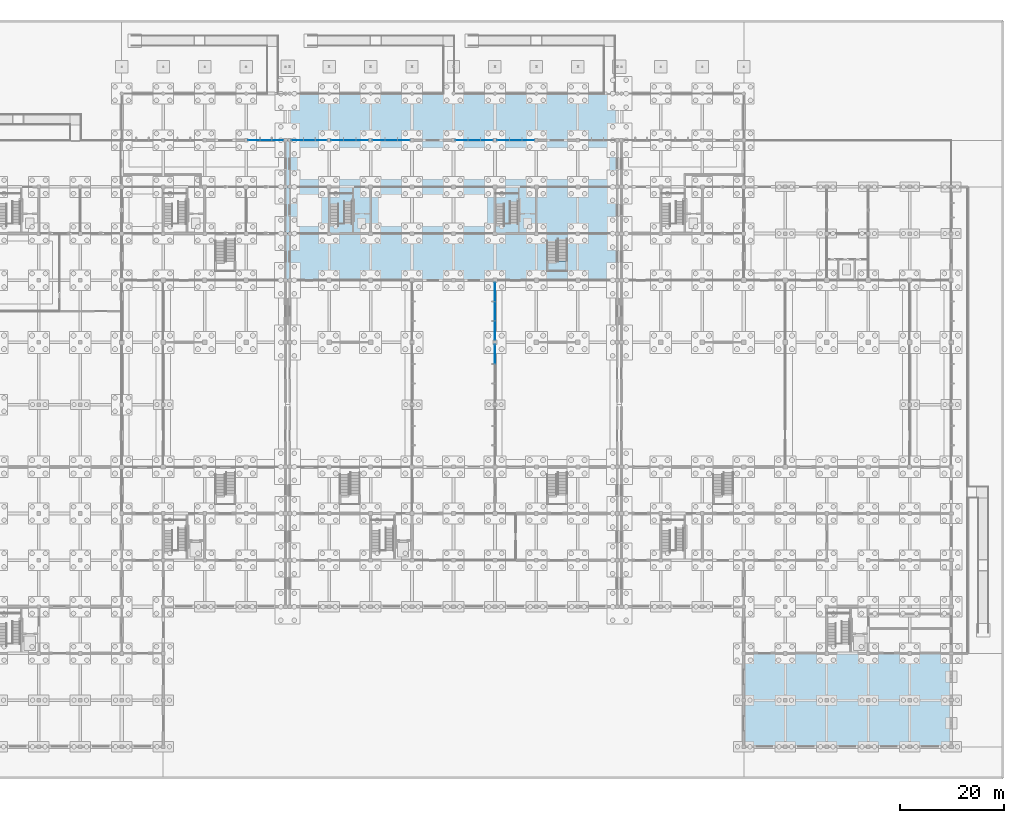
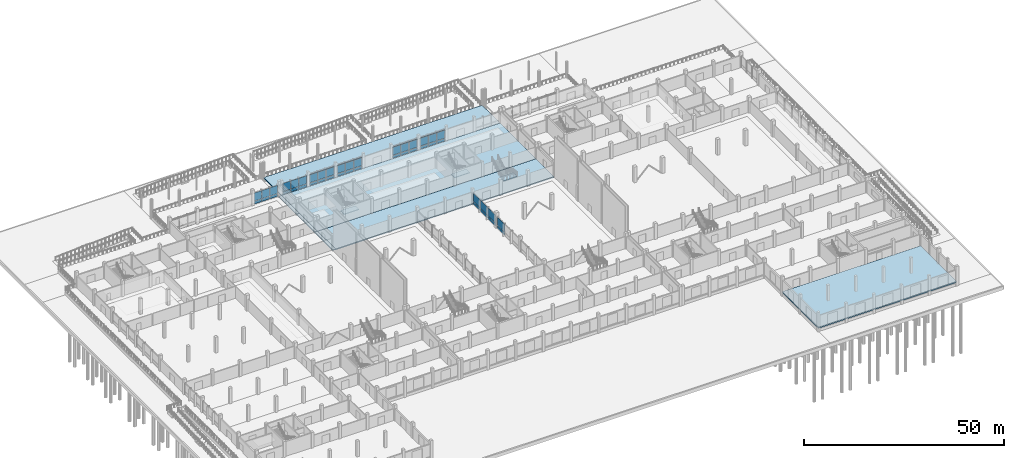
# One storey, part 37 of 72: 44 plates, 10 slabs, 11 elements without a shape of their own.
"""IFC4 building model written with IfcOpenShell, lengths in metres."""

from ifc_helpers import new_model, si_unit, direction, frame, origin, origin_2d, place, context, subcontext, project, spatial, polyline, rectangle, outline, extrude, material, layer, layer_set, type_object, element, aggregate, save


model = new_model("IFC4")

# Units and contexts
model_context = context("Model", 3, precision=1e-05, world=origin(), true_north=direction((0.0, 1.0)))
body_context = subcontext(model_context, "Body", "Model", "MODEL_VIEW")
ifc_project = project(units=[si_unit("LENGTHUNIT", "METRE"), si_unit("AREAUNIT", "SQUARE_METRE"), si_unit("VOLUMEUNIT", "CUBIC_METRE"), si_unit("PLANEANGLEUNIT", "RADIAN"), si_unit("MASSUNIT", "GRAM", prefix="KILO"), si_unit("THERMODYNAMICTEMPERATUREUNIT", "KELVIN"), si_unit("POWERUNIT", "WATT")], contexts=[model_context])

# Site, building, storey
site_placement = place(None, origin())
site = spatial("IfcSite", under=ifc_project, at=site_placement, CompositionType="ELEMENT")
building_placement = place(site_placement, origin())
building = spatial("IfcBuilding", under=site, at=building_placement, Name="Kronsvod Quay Wholesale Market", CompositionType="ELEMENT")
storey_placement = place(building_placement, origin())
storey = spatial("IfcBuildingStorey", under=building, at=storey_placement, Name="L00", CompositionType="ELEMENT", Elevation=0.0)

# Curtain wall, plates
ifc_material_1 = material(Name="Thermally broken aluminium and triple low-E glazing", Category="aluminium")
curtain_wall_type_1 = type_object("IfcCurtainWallType", Name="CW_Colonnade76x39", PredefinedType="NOTDEFINED", material=ifc_material_1)
curtain_wall_1_placement = place(storey_placement, origin())
curtain_wall_1 = element("IfcCurtainWall", 1, at=curtain_wall_1_placement, inside=storey, type_object=curtain_wall_type_1, Name="CWGX-L00-560-1170", PredefinedType="NOTDEFINED")
ifc_material_2 = material(Name="Insulated aluminium spandrel panel", Category="aluminium")
ifc_layer_1 = layer(ifc_material_2, 0.048095703125)
ifc_layer_set_1 = layer_set([ifc_layer_1], Name="Insulated aluminium spandrel panel")
plate_type_1 = type_object("IfcPlateType", Name="CWPanel_SP2206x820", PredefinedType="CURTAIN_PANEL", material=ifc_layer_set_1)
plate_1_placement = place(storey_placement, frame((62.087158203125, 117.0, 0.1201171875), z_axis=(0.0, 0.0, 1.0), x_axis=(-1.0, 0.0, 0.0)))
plate_1 = element("IfcPlate", 2, at=plate_1_placement, type_object=plate_type_1, Name="CWGX-L00-560-1170-PS1", PredefinedType="CURTAIN_PANEL", context=body_context, shape_type="SweptSolid", body=[
    extrude(rectangle(XDim=2.2060546875, YDim=0.048095703125, at=origin_2d()), origin(), (0.0, 0.0, 1.0), 0.820068359375),
])
plate_2_placement = place(storey_placement, frame((57.512939453125, 117.0, 0.1201171875), z_axis=(0.0, 0.0, 1.0), x_axis=(-1.0, 0.0, 0.0)))
plate_2 = element("IfcPlate", 3, at=plate_2_placement, type_object=plate_type_1, Name="CWGX-L00-560-1170-PS3", PredefinedType="CURTAIN_PANEL", context=body_context, shape_type="SweptSolid", body=[
    extrude(rectangle(XDim=2.2060546875, YDim=0.048095703125, at=origin_2d()), origin(), (0.0, 0.0, 1.0), 0.820068359375),
])

curtain_wall_2_placement = place(storey_placement, origin())
curtain_wall_2 = element("IfcCurtainWall", 4, at=curtain_wall_2_placement, inside=storey, type_object=curtain_wall_type_1, Name="CWGX-L00-644-1170", PredefinedType="NOTDEFINED")
plate_3_placement = place(storey_placement, frame((70.487060546875, 117.0, 0.1201171875), z_axis=(0.0, 0.0, 1.0), x_axis=(-1.0, 0.0, 0.0)))
plate_3 = element("IfcPlate", 5, at=plate_3_placement, type_object=plate_type_1, Name="CWGX-L00-644-1170-PS1", PredefinedType="CURTAIN_PANEL", context=body_context, shape_type="SweptSolid", body=[
    extrude(rectangle(XDim=2.2060546875, YDim=0.048095703125, at=origin_2d()), origin(), (0.0, 0.0, 1.0), 0.820068359375),
])
plate_4_placement = place(storey_placement, frame((65.912841796875, 117.0, 0.1201171875), z_axis=(0.0, 0.0, 1.0), x_axis=(-1.0, 0.0, 0.0)))
plate_4 = element("IfcPlate", 6, at=plate_4_placement, type_object=plate_type_1, Name="CWGX-L00-644-1170-PS3", PredefinedType="CURTAIN_PANEL", context=body_context, shape_type="SweptSolid", body=[
    extrude(rectangle(XDim=2.2060546875, YDim=0.048095703125, at=origin_2d()), origin(), (0.0, 0.0, 1.0), 0.820068359375),
])

# Plate
ifc_material_3 = material(Name="Insulated aluminium spandrel panel", Category="aluminium")
ifc_layer_2 = layer(ifc_material_3, 0.048095703125)
ifc_layer_set_2 = layer_set([ifc_layer_2], Name="Insulated aluminium spandrel panel")
plate_type_2 = type_object("IfcPlateType", Name="CWPanel_SP2238x820", PredefinedType="CURTAIN_PANEL", material=ifc_layer_set_2)
plate_5_placement = place(storey_placement, frame((59.800048828125, 117.0, 0.1201171875), z_axis=(0.0, 0.0, 1.0), x_axis=(-1.0, 0.0, 0.0)))
plate_5 = element("IfcPlate", 7, at=plate_5_placement, type_object=plate_type_2, Name="CWGX-L00-560-1170-PS2", PredefinedType="CURTAIN_PANEL", context=body_context, shape_type="SweptSolid", body=[
    extrude(rectangle(XDim=2.238037109375, YDim=0.048095703125, at=origin_2d()), origin(), (0.0, 0.0, 1.0), 0.820068359375),
])

plate_6_placement = place(storey_placement, frame((68.199951171875, 117.0, 0.1201171875), z_axis=(0.0, 0.0, 1.0), x_axis=(-1.0, 0.0, 0.0)))
plate_6 = element("IfcPlate", 8, at=plate_6_placement, type_object=plate_type_2, Name="CWGX-L00-644-1170-PS2", PredefinedType="CURTAIN_PANEL", context=body_context, shape_type="SweptSolid", body=[
    extrude(rectangle(XDim=2.238037109375, YDim=0.048095703125, at=origin_2d()), origin(), (0.0, 0.0, 1.0), 0.820068359375),
])

# Curtain wall, plates
ifc_material_4 = material(Name="Thermally broken aluminium and triple low-E glazing", Category="aluminium")
curtain_wall_type_2 = type_object("IfcCurtainWallType", Name="CW_Colonnade80x39", PredefinedType="NOTDEFINED", material=ifc_material_4)
curtain_wall_3_placement = place(storey_placement, origin())
curtain_wall_3 = element("IfcCurtainWall", 9, at=curtain_wall_3_placement, inside=storey, type_object=curtain_wall_type_2, Name="CWGX-L00-720-1170", PredefinedType="NOTDEFINED")
ifc_material_5 = material(Name="Insulated aluminium spandrel panel", Category="aluminium")
ifc_layer_3 = layer(ifc_material_5, 0.048095703125)
ifc_layer_set_3 = layer_set([ifc_layer_3], Name="Insulated aluminium spandrel panel")
plate_type_3 = type_object("IfcPlateType", Name="CWPanel_SP2324x775", PredefinedType="CURTAIN_PANEL", material=ifc_layer_set_3)
plate_7_placement = place(storey_placement, frame((78.41796875, 117.0, 0.150146484375), z_axis=(0.0, 0.0, 1.0), x_axis=(-1.0, 0.0, 0.0)))
plate_7 = element("IfcPlate", 10, at=plate_7_placement, type_object=plate_type_3, Name="CWGX-L00-720-1170-PS1", PredefinedType="CURTAIN_PANEL", context=body_context, shape_type="SweptSolid", body=[
    extrude(rectangle(XDim=2.323974609375, YDim=0.048095703125, at=origin_2d()), origin(), (0.0, 0.0, 1.0), 0.77490234375),
])
plate_8_placement = place(storey_placement, frame((73.58203125, 117.0, 0.150146484375), z_axis=(0.0, 0.0, 1.0), x_axis=(-1.0, 0.0, 0.0)))
plate_8 = element("IfcPlate", 11, at=plate_8_placement, type_object=plate_type_3, Name="CWGX-L00-720-1170-PS3", PredefinedType="CURTAIN_PANEL", context=body_context, shape_type="SweptSolid", body=[
    extrude(rectangle(XDim=2.323974609375, YDim=0.048095703125, at=origin_2d()), origin(), (0.0, 0.0, 1.0), 0.77490234375),
])

curtain_wall_4_placement = place(storey_placement, origin())
curtain_wall_4 = element("IfcCurtainWall", 12, at=curtain_wall_4_placement, inside=storey, type_object=curtain_wall_type_2, Name="CWGX-L00-800-1170", PredefinedType="NOTDEFINED")
plate_9_placement = place(storey_placement, frame((86.41796875, 117.0, 0.150146484375), z_axis=(0.0, 0.0, 1.0), x_axis=(-1.0, 0.0, 0.0)))
plate_9 = element("IfcPlate", 13, at=plate_9_placement, type_object=plate_type_3, Name="CWGX-L00-800-1170-PS1", PredefinedType="CURTAIN_PANEL", context=body_context, shape_type="SweptSolid", body=[
    extrude(rectangle(XDim=2.323974609375, YDim=0.048095703125, at=origin_2d()), origin(), (0.0, 0.0, 1.0), 0.77490234375),
])
plate_10_placement = place(storey_placement, frame((81.58203125, 117.0, 0.150146484375), z_axis=(0.0, 0.0, 1.0), x_axis=(-1.0, 0.0, 0.0)))
plate_10 = element("IfcPlate", 14, at=plate_10_placement, type_object=plate_type_3, Name="CWGX-L00-800-1170-PS3", PredefinedType="CURTAIN_PANEL", context=body_context, shape_type="SweptSolid", body=[
    extrude(rectangle(XDim=2.323974609375, YDim=0.048095703125, at=origin_2d()), origin(), (0.0, 0.0, 1.0), 0.77490234375),
])

curtain_wall_5_placement = place(storey_placement, origin())
curtain_wall_5 = element("IfcCurtainWall", 15, at=curtain_wall_5_placement, inside=storey, type_object=curtain_wall_type_2, Name="CWGX-L00-960-1170", PredefinedType="NOTDEFINED")
plate_11_placement = place(storey_placement, frame((102.41796875, 117.0, 0.150146484375), z_axis=(0.0, 0.0, 1.0), x_axis=(-1.0, 0.0, 0.0)))
plate_11 = element("IfcPlate", 16, at=plate_11_placement, type_object=plate_type_3, Name="CWGX-L00-960-1170-PS1", PredefinedType="CURTAIN_PANEL", context=body_context, shape_type="SweptSolid", body=[
    extrude(rectangle(XDim=2.323974609375, YDim=0.048095703125, at=origin_2d()), origin(), (0.0, 0.0, 1.0), 0.77490234375),
])
plate_12_placement = place(storey_placement, frame((97.58203125, 117.0, 0.150146484375), z_axis=(0.0, 0.0, 1.0), x_axis=(-1.0, 0.0, 0.0)))
plate_12 = element("IfcPlate", 17, at=plate_12_placement, type_object=plate_type_3, Name="CWGX-L00-960-1170-PS3", PredefinedType="CURTAIN_PANEL", context=body_context, shape_type="SweptSolid", body=[
    extrude(rectangle(XDim=2.323974609375, YDim=0.048095703125, at=origin_2d()), origin(), (0.0, 0.0, 1.0), 0.77490234375),
])

curtain_wall_6_placement = place(storey_placement, origin())
curtain_wall_6 = element("IfcCurtainWall", 18, at=curtain_wall_6_placement, inside=storey, type_object=curtain_wall_type_2, Name="CWGX-L00-1040-1170", PredefinedType="NOTDEFINED")
plate_13_placement = place(storey_placement, frame((110.41796875, 117.0, 0.150146484375), z_axis=(0.0, 0.0, 1.0), x_axis=(-1.0, 0.0, 0.0)))
plate_13 = element("IfcPlate", 19, at=plate_13_placement, type_object=plate_type_3, Name="CWGX-L00-1040-1170-PS1", PredefinedType="CURTAIN_PANEL", context=body_context, shape_type="SweptSolid", body=[
    extrude(rectangle(XDim=2.323974609375, YDim=0.048095703125, at=origin_2d()), origin(), (0.0, 0.0, 1.0), 0.77490234375),
])
plate_14_placement = place(storey_placement, frame((105.58203125, 117.0, 0.150146484375), z_axis=(0.0, 0.0, 1.0), x_axis=(-1.0, 0.0, 0.0)))
plate_14 = element("IfcPlate", 20, at=plate_14_placement, type_object=plate_type_3, Name="CWGX-L00-1040-1170-PS3", PredefinedType="CURTAIN_PANEL", context=body_context, shape_type="SweptSolid", body=[
    extrude(rectangle(XDim=2.323974609375, YDim=0.048095703125, at=origin_2d()), origin(), (0.0, 0.0, 1.0), 0.77490234375),
])

# Plate
ifc_material_6 = material(Name="Insulated aluminium spandrel panel", Category="aluminium")
ifc_layer_4 = layer(ifc_material_6, 0.048095703125)
ifc_layer_set_4 = layer_set([ifc_layer_4], Name="Insulated aluminium spandrel panel")
plate_type_4 = type_object("IfcPlateType", Name="CWPanel_SP2362x775", PredefinedType="CURTAIN_PANEL", material=ifc_layer_set_4)
plate_15_placement = place(storey_placement, frame((76.0, 117.0, 0.150146484375), z_axis=(0.0, 0.0, 1.0), x_axis=(-1.0, 0.0, 0.0)))
plate_15 = element("IfcPlate", 21, at=plate_15_placement, type_object=plate_type_4, Name="CWGX-L00-720-1170-PS2", PredefinedType="CURTAIN_PANEL", context=body_context, shape_type="SweptSolid", body=[
    extrude(rectangle(XDim=2.362060546875, YDim=0.048095703125, at=origin_2d()), origin(), (0.0, 0.0, 1.0), 0.77490234375),
])

plate_16_placement = place(storey_placement, frame((84.0, 117.0, 0.150146484375), z_axis=(0.0, 0.0, 1.0), x_axis=(-1.0, 0.0, 0.0)))
plate_16 = element("IfcPlate", 22, at=plate_16_placement, type_object=plate_type_4, Name="CWGX-L00-800-1170-PS2", PredefinedType="CURTAIN_PANEL", context=body_context, shape_type="SweptSolid", body=[
    extrude(rectangle(XDim=2.362060546875, YDim=0.048095703125, at=origin_2d()), origin(), (0.0, 0.0, 1.0), 0.77490234375),
])

plate_17_placement = place(storey_placement, frame((100.0, 117.0, 0.150146484375), z_axis=(0.0, 0.0, 1.0), x_axis=(-1.0, 0.0, 0.0)))
plate_17 = element("IfcPlate", 23, at=plate_17_placement, type_object=plate_type_4, Name="CWGX-L00-960-1170-PS2", PredefinedType="CURTAIN_PANEL", context=body_context, shape_type="SweptSolid", body=[
    extrude(rectangle(XDim=2.362060546875, YDim=0.048095703125, at=origin_2d()), origin(), (0.0, 0.0, 1.0), 0.77490234375),
])

plate_18_placement = place(storey_placement, frame((108.0, 117.0, 0.150146484375), z_axis=(0.0, 0.0, 1.0), x_axis=(-1.0, 0.0, 0.0)))
plate_18 = element("IfcPlate", 24, at=plate_18_placement, type_object=plate_type_4, Name="CWGX-L00-1040-1170-PS2", PredefinedType="CURTAIN_PANEL", context=body_context, shape_type="SweptSolid", body=[
    extrude(rectangle(XDim=2.362060546875, YDim=0.048095703125, at=origin_2d()), origin(), (0.0, 0.0, 1.0), 0.77490234375),
])

# Curtain wall, plates
ifc_material_7 = material(Name="Thermally broken aluminium and triple low-E glazing", Category="aluminium")
curtain_wall_type_3 = type_object("IfcCurtainWallType", Name="CW_Court120x35", PredefinedType="NOTDEFINED", material=ifc_material_7)
curtain_wall_7_placement = place(storey_placement, origin())
curtain_wall_7 = element("IfcCurtainWall", 25, at=curtain_wall_7_placement, inside=storey, type_object=curtain_wall_type_3, Name="CWGY-L00-1040-780", PredefinedType="NOTDEFINED")
ifc_material_8 = material(Name="Insulated aluminium spandrel panel", Category="aluminium")
ifc_layer_5 = layer(ifc_material_8, 0.048095703125)
ifc_layer_set_5 = layer_set([ifc_layer_5], Name="Insulated aluminium spandrel panel")
plate_type_5 = type_object("IfcPlateType", Name="CWPanel_SP3616x775", PredefinedType="CURTAIN_PANEL", material=ifc_layer_set_5)
plate_19_placement = place(storey_placement, frame((104.0, 87.72216796875, 0.150146484375), z_axis=(0.0, 0.0, 1.0), x_axis=(0.0, -1.0, 0.0)))
plate_19 = element("IfcPlate", 26, at=plate_19_placement, type_object=plate_type_5, Name="CWGY-L00-1040-780-PS1", PredefinedType="CURTAIN_PANEL", context=body_context, shape_type="SweptSolid", body=[
    extrude(rectangle(XDim=3.615966796875, YDim=0.048095703125, at=origin_2d()), origin(), (0.0, 0.0, 1.0), 0.77490234375),
])
plate_20_placement = place(storey_placement, frame((104.0, 80.302978515625, 0.150146484375), z_axis=(0.0, 0.0, 1.0), x_axis=(0.0, -1.0, 0.0)))
plate_20 = element("IfcPlate", 27, at=plate_20_placement, type_object=plate_type_5, Name="CWGY-L00-1040-780-PS3", PredefinedType="CURTAIN_PANEL", context=body_context, shape_type="SweptSolid", body=[
    extrude(rectangle(XDim=3.615966796875, YDim=0.048095703125, at=origin_2d()), origin(), (0.0, 0.0, 1.0), 0.77490234375),
])

# Curtain wall, plate
curtain_wall_8_placement = place(storey_placement, origin())
curtain_wall_8 = element("IfcCurtainWall", 28, at=curtain_wall_8_placement, inside=storey, type_object=curtain_wall_type_3, Name="CWGY-L00-1040-660", PredefinedType="NOTDEFINED")
ifc_material_9 = material(Name="Insulated aluminium spandrel panel", Category="aluminium")
ifc_layer_6 = layer(ifc_material_9, 0.048095703125)
ifc_layer_set_6 = layer_set([ifc_layer_6], Name="Insulated aluminium spandrel panel")
plate_type_6 = type_object("IfcPlateType", Name="CWPanel_SP3632x775", PredefinedType="CURTAIN_PANEL", material=ifc_layer_set_6)
plate_21_placement = place(storey_placement, frame((104.0, 75.688720703125, 0.150146484375), z_axis=(0.0, 0.0, 1.0), x_axis=(0.0, -1.0, 0.0)))
plate_21 = element("IfcPlate", 29, at=plate_21_placement, type_object=plate_type_6, Name="CWGY-L00-1040-660-PS1", PredefinedType="CURTAIN_PANEL", context=body_context, shape_type="SweptSolid", body=[
    extrude(rectangle(XDim=3.632080078125, YDim=0.048095703125, at=origin_2d()), origin(), (0.0, 0.0, 1.0), 0.77490234375),
])

# Plate
ifc_material_10 = material(Name="Insulated aluminium spandrel panel", Category="aluminium")
ifc_layer_7 = layer(ifc_material_10, 0.048095703125)
ifc_layer_set_7 = layer_set([ifc_layer_7], Name="Insulated aluminium spandrel panel")
plate_type_7 = type_object("IfcPlateType", Name="CWPanel_SP3653x775", PredefinedType="CURTAIN_PANEL", material=ifc_layer_set_7)
plate_22_placement = place(storey_placement, frame((104.0, 84.012451171875, 0.150146484375), z_axis=(0.0, 0.0, 1.0), x_axis=(0.0, -1.0, 0.0)))
plate_22 = element("IfcPlate", 30, at=plate_22_placement, type_object=plate_type_7, Name="CWGY-L00-1040-780-PS2", PredefinedType="CURTAIN_PANEL", context=body_context, shape_type="SweptSolid", body=[
    extrude(rectangle(XDim=3.653076171875, YDim=0.048095703125, at=origin_2d()), origin(), (0.0, 0.0, 1.0), 0.77490234375),
])

ifc_material_11 = material(Name="Triple low-E insulated glazing", Category="glass")
ifc_layer_8 = layer(ifc_material_11, 0.0439453125)
ifc_layer_set_8 = layer_set([ifc_layer_8], Name="Triple low-E insulated glazing")
plate_type_8 = type_object("IfcPlateType", Name="CWPanel_VS2206x2470", PredefinedType="CURTAIN_PANEL", material=ifc_layer_set_8)
plate_23_placement = place(storey_placement, frame((62.087158203125, 117.0, 1.06005859375), z_axis=(0.0, 0.0, 1.0), x_axis=(-1.0, 0.0, 0.0)))
plate_23 = element("IfcPlate", 31, at=plate_23_placement, type_object=plate_type_8, Name="CWGX-L00-560-1170-PV1", PredefinedType="CURTAIN_PANEL", context=body_context, shape_type="SweptSolid", body=[
    extrude(rectangle(XDim=2.2060546875, YDim=0.0439453125, at=origin_2d()), origin(), (0.0, 0.0, 1.0), 2.469970703125),
])

plate_24_placement = place(storey_placement, frame((57.512939453125, 117.0, 1.06005859375), z_axis=(0.0, 0.0, 1.0), x_axis=(-1.0, 0.0, 0.0)))
plate_24 = element("IfcPlate", 32, at=plate_24_placement, type_object=plate_type_8, Name="CWGX-L00-560-1170-PV3", PredefinedType="CURTAIN_PANEL", context=body_context, shape_type="SweptSolid", body=[
    extrude(rectangle(XDim=2.2060546875, YDim=0.0439453125, at=origin_2d()), origin(), (0.0, 0.0, 1.0), 2.469970703125),
])

plate_25_placement = place(storey_placement, frame((70.487060546875, 117.0, 1.06005859375), z_axis=(0.0, 0.0, 1.0), x_axis=(-1.0, 0.0, 0.0)))
plate_25 = element("IfcPlate", 33, at=plate_25_placement, type_object=plate_type_8, Name="CWGX-L00-644-1170-PV1", PredefinedType="CURTAIN_PANEL", context=body_context, shape_type="SweptSolid", body=[
    extrude(rectangle(XDim=2.2060546875, YDim=0.0439453125, at=origin_2d()), origin(), (0.0, 0.0, 1.0), 2.469970703125),
])

plate_26_placement = place(storey_placement, frame((65.912841796875, 117.0, 1.06005859375), z_axis=(0.0, 0.0, 1.0), x_axis=(-1.0, 0.0, 0.0)))
plate_26 = element("IfcPlate", 34, at=plate_26_placement, type_object=plate_type_8, Name="CWGX-L00-644-1170-PV3", PredefinedType="CURTAIN_PANEL", context=body_context, shape_type="SweptSolid", body=[
    extrude(rectangle(XDim=2.2060546875, YDim=0.0439453125, at=origin_2d()), origin(), (0.0, 0.0, 1.0), 2.469970703125),
])

ifc_material_12 = material(Name="Triple low-E insulated glazing", Category="glass")
ifc_layer_9 = layer(ifc_material_12, 0.0439453125)
ifc_layer_set_9 = layer_set([ifc_layer_9], Name="Triple low-E insulated glazing")
plate_type_9 = type_object("IfcPlateType", Name="CWPanel_VS2238x2470", PredefinedType="CURTAIN_PANEL", material=ifc_layer_set_9)
plate_27_placement = place(storey_placement, frame((59.800048828125, 117.0, 1.06005859375), z_axis=(0.0, 0.0, 1.0), x_axis=(-1.0, 0.0, 0.0)))
plate_27 = element("IfcPlate", 35, at=plate_27_placement, type_object=plate_type_9, Name="CWGX-L00-560-1170-PV2", PredefinedType="CURTAIN_PANEL", context=body_context, shape_type="SweptSolid", body=[
    extrude(rectangle(XDim=2.238037109375, YDim=0.0439453125, at=origin_2d()), origin(), (0.0, 0.0, 1.0), 2.469970703125),
])

aggregate(curtain_wall_1, [plate_1, plate_23, plate_5, plate_27, plate_2, plate_24])

plate_28_placement = place(storey_placement, frame((68.199951171875, 117.0, 1.06005859375), z_axis=(0.0, 0.0, 1.0), x_axis=(-1.0, 0.0, 0.0)))
plate_28 = element("IfcPlate", 36, at=plate_28_placement, type_object=plate_type_9, Name="CWGX-L00-644-1170-PV2", PredefinedType="CURTAIN_PANEL", context=body_context, shape_type="SweptSolid", body=[
    extrude(rectangle(XDim=2.238037109375, YDim=0.0439453125, at=origin_2d()), origin(), (0.0, 0.0, 1.0), 2.469970703125),
])

aggregate(curtain_wall_2, [plate_3, plate_25, plate_6, plate_28, plate_4, plate_26])

ifc_material_13 = material(Name="Triple low-E insulated glazing", Category="glass")
ifc_layer_10 = layer(ifc_material_13, 0.0439453125)
ifc_layer_set_10 = layer_set([ifc_layer_10], Name="Triple low-E insulated glazing")
plate_type_10 = type_object("IfcPlateType", Name="CWPanel_VS2324x2425", PredefinedType="CURTAIN_PANEL", material=ifc_layer_set_10)
plate_29_placement = place(storey_placement, frame((78.41796875, 117.0, 1.0751953125), z_axis=(0.0, 0.0, 1.0), x_axis=(-1.0, 0.0, 0.0)))
plate_29 = element("IfcPlate", 37, at=plate_29_placement, type_object=plate_type_10, Name="CWGX-L00-720-1170-PV1", PredefinedType="CURTAIN_PANEL", context=body_context, shape_type="SweptSolid", body=[
    extrude(rectangle(XDim=2.323974609375, YDim=0.0439453125, at=origin_2d()), origin(), (0.0, 0.0, 1.0), 2.425048828125),
])

plate_30_placement = place(storey_placement, frame((73.58203125, 117.0, 1.0751953125), z_axis=(0.0, 0.0, 1.0), x_axis=(-1.0, 0.0, 0.0)))
plate_30 = element("IfcPlate", 38, at=plate_30_placement, type_object=plate_type_10, Name="CWGX-L00-720-1170-PV3", PredefinedType="CURTAIN_PANEL", context=body_context, shape_type="SweptSolid", body=[
    extrude(rectangle(XDim=2.323974609375, YDim=0.0439453125, at=origin_2d()), origin(), (0.0, 0.0, 1.0), 2.425048828125),
])

plate_31_placement = place(storey_placement, frame((86.41796875, 117.0, 1.0751953125), z_axis=(0.0, 0.0, 1.0), x_axis=(-1.0, 0.0, 0.0)))
plate_31 = element("IfcPlate", 39, at=plate_31_placement, type_object=plate_type_10, Name="CWGX-L00-800-1170-PV1", PredefinedType="CURTAIN_PANEL", context=body_context, shape_type="SweptSolid", body=[
    extrude(rectangle(XDim=2.323974609375, YDim=0.0439453125, at=origin_2d()), origin(), (0.0, 0.0, 1.0), 2.425048828125),
])

plate_32_placement = place(storey_placement, frame((81.58203125, 117.0, 1.0751953125), z_axis=(0.0, 0.0, 1.0), x_axis=(-1.0, 0.0, 0.0)))
plate_32 = element("IfcPlate", 40, at=plate_32_placement, type_object=plate_type_10, Name="CWGX-L00-800-1170-PV3", PredefinedType="CURTAIN_PANEL", context=body_context, shape_type="SweptSolid", body=[
    extrude(rectangle(XDim=2.323974609375, YDim=0.0439453125, at=origin_2d()), origin(), (0.0, 0.0, 1.0), 2.425048828125),
])

plate_33_placement = place(storey_placement, frame((102.41796875, 117.0, 1.0751953125), z_axis=(0.0, 0.0, 1.0), x_axis=(-1.0, 0.0, 0.0)))
plate_33 = element("IfcPlate", 41, at=plate_33_placement, type_object=plate_type_10, Name="CWGX-L00-960-1170-PV1", PredefinedType="CURTAIN_PANEL", context=body_context, shape_type="SweptSolid", body=[
    extrude(rectangle(XDim=2.323974609375, YDim=0.0439453125, at=origin_2d()), origin(), (0.0, 0.0, 1.0), 2.425048828125),
])

plate_34_placement = place(storey_placement, frame((97.58203125, 117.0, 1.0751953125), z_axis=(0.0, 0.0, 1.0), x_axis=(-1.0, 0.0, 0.0)))
plate_34 = element("IfcPlate", 42, at=plate_34_placement, type_object=plate_type_10, Name="CWGX-L00-960-1170-PV3", PredefinedType="CURTAIN_PANEL", context=body_context, shape_type="SweptSolid", body=[
    extrude(rectangle(XDim=2.323974609375, YDim=0.0439453125, at=origin_2d()), origin(), (0.0, 0.0, 1.0), 2.425048828125),
])

plate_35_placement = place(storey_placement, frame((110.41796875, 117.0, 1.0751953125), z_axis=(0.0, 0.0, 1.0), x_axis=(-1.0, 0.0, 0.0)))
plate_35 = element("IfcPlate", 43, at=plate_35_placement, type_object=plate_type_10, Name="CWGX-L00-1040-1170-PV1", PredefinedType="CURTAIN_PANEL", context=body_context, shape_type="SweptSolid", body=[
    extrude(rectangle(XDim=2.323974609375, YDim=0.0439453125, at=origin_2d()), origin(), (0.0, 0.0, 1.0), 2.425048828125),
])

plate_36_placement = place(storey_placement, frame((105.58203125, 117.0, 1.0751953125), z_axis=(0.0, 0.0, 1.0), x_axis=(-1.0, 0.0, 0.0)))
plate_36 = element("IfcPlate", 44, at=plate_36_placement, type_object=plate_type_10, Name="CWGX-L00-1040-1170-PV3", PredefinedType="CURTAIN_PANEL", context=body_context, shape_type="SweptSolid", body=[
    extrude(rectangle(XDim=2.323974609375, YDim=0.0439453125, at=origin_2d()), origin(), (0.0, 0.0, 1.0), 2.425048828125),
])

ifc_material_14 = material(Name="Triple low-E insulated glazing", Category="glass")
ifc_layer_11 = layer(ifc_material_14, 0.0439453125)
ifc_layer_set_11 = layer_set([ifc_layer_11], Name="Triple low-E insulated glazing")
plate_type_11 = type_object("IfcPlateType", Name="CWPanel_VS2362x2425", PredefinedType="CURTAIN_PANEL", material=ifc_layer_set_11)
plate_37_placement = place(storey_placement, frame((76.0, 117.0, 1.0751953125), z_axis=(0.0, 0.0, 1.0), x_axis=(-1.0, 0.0, 0.0)))
plate_37 = element("IfcPlate", 45, at=plate_37_placement, type_object=plate_type_11, Name="CWGX-L00-720-1170-PV2", PredefinedType="CURTAIN_PANEL", context=body_context, shape_type="SweptSolid", body=[
    extrude(rectangle(XDim=2.362060546875, YDim=0.0439453125, at=origin_2d()), origin(), (0.0, 0.0, 1.0), 2.425048828125),
])

aggregate(curtain_wall_3, [plate_7, plate_29, plate_15, plate_37, plate_8, plate_30])

plate_38_placement = place(storey_placement, frame((84.0, 117.0, 1.0751953125), z_axis=(0.0, 0.0, 1.0), x_axis=(-1.0, 0.0, 0.0)))
plate_38 = element("IfcPlate", 46, at=plate_38_placement, type_object=plate_type_11, Name="CWGX-L00-800-1170-PV2", PredefinedType="CURTAIN_PANEL", context=body_context, shape_type="SweptSolid", body=[
    extrude(rectangle(XDim=2.362060546875, YDim=0.0439453125, at=origin_2d()), origin(), (0.0, 0.0, 1.0), 2.425048828125),
])

aggregate(curtain_wall_4, [plate_9, plate_31, plate_16, plate_38, plate_10, plate_32])

plate_39_placement = place(storey_placement, frame((100.0, 117.0, 1.0751953125), z_axis=(0.0, 0.0, 1.0), x_axis=(-1.0, 0.0, 0.0)))
plate_39 = element("IfcPlate", 47, at=plate_39_placement, type_object=plate_type_11, Name="CWGX-L00-960-1170-PV2", PredefinedType="CURTAIN_PANEL", context=body_context, shape_type="SweptSolid", body=[
    extrude(rectangle(XDim=2.362060546875, YDim=0.0439453125, at=origin_2d()), origin(), (0.0, 0.0, 1.0), 2.425048828125),
])

aggregate(curtain_wall_5, [plate_11, plate_33, plate_17, plate_39, plate_12, plate_34])

plate_40_placement = place(storey_placement, frame((108.0, 117.0, 1.0751953125), z_axis=(0.0, 0.0, 1.0), x_axis=(-1.0, 0.0, 0.0)))
plate_40 = element("IfcPlate", 48, at=plate_40_placement, type_object=plate_type_11, Name="CWGX-L00-1040-1170-PV2", PredefinedType="CURTAIN_PANEL", context=body_context, shape_type="SweptSolid", body=[
    extrude(rectangle(XDim=2.362060546875, YDim=0.0439453125, at=origin_2d()), origin(), (0.0, 0.0, 1.0), 2.425048828125),
])

aggregate(curtain_wall_6, [plate_13, plate_35, plate_18, plate_40, plate_14, plate_36])

ifc_material_15 = material(Name="Triple low-E insulated glazing", Category="glass")
ifc_layer_12 = layer(ifc_material_15, 0.0439453125)
ifc_layer_set_12 = layer_set([ifc_layer_12], Name="Triple low-E insulated glazing")
plate_type_12 = type_object("IfcPlateType", Name="CWPanel_VS3616x2425", PredefinedType="CURTAIN_PANEL", material=ifc_layer_set_12)
plate_41_placement = place(storey_placement, frame((104.0, 87.72216796875, 1.0751953125), z_axis=(0.0, 0.0, 1.0), x_axis=(0.0, -1.0, 0.0)))
plate_41 = element("IfcPlate", 49, at=plate_41_placement, type_object=plate_type_12, Name="CWGY-L00-1040-780-PV1", PredefinedType="CURTAIN_PANEL", context=body_context, shape_type="SweptSolid", body=[
    extrude(rectangle(XDim=3.615966796875, YDim=0.0439453125, at=origin_2d()), origin(), (0.0, 0.0, 1.0), 2.425048828125),
])

plate_42_placement = place(storey_placement, frame((104.0, 80.302978515625, 1.0751953125), z_axis=(0.0, 0.0, 1.0), x_axis=(0.0, -1.0, 0.0)))
plate_42 = element("IfcPlate", 50, at=plate_42_placement, type_object=plate_type_12, Name="CWGY-L00-1040-780-PV3", PredefinedType="CURTAIN_PANEL", context=body_context, shape_type="SweptSolid", body=[
    extrude(rectangle(XDim=3.615966796875, YDim=0.0439453125, at=origin_2d()), origin(), (0.0, 0.0, 1.0), 2.425048828125),
])

ifc_material_16 = material(Name="Triple low-E insulated glazing", Category="glass")
ifc_layer_13 = layer(ifc_material_16, 0.0439453125)
ifc_layer_set_13 = layer_set([ifc_layer_13], Name="Triple low-E insulated glazing")
plate_type_13 = type_object("IfcPlateType", Name="CWPanel_VS3632x2425", PredefinedType="CURTAIN_PANEL", material=ifc_layer_set_13)
plate_43_placement = place(storey_placement, frame((104.0, 75.688720703125, 1.0751953125), z_axis=(0.0, 0.0, 1.0), x_axis=(0.0, -1.0, 0.0)))
plate_43 = element("IfcPlate", 51, at=plate_43_placement, type_object=plate_type_13, Name="CWGY-L00-1040-660-PV1", PredefinedType="CURTAIN_PANEL", context=body_context, shape_type="SweptSolid", body=[
    extrude(rectangle(XDim=3.632080078125, YDim=0.0439453125, at=origin_2d()), origin(), (0.0, 0.0, 1.0), 2.425048828125),
])

aggregate(curtain_wall_8, [plate_21, plate_43])

ifc_material_17 = material(Name="Triple low-E insulated glazing", Category="glass")
ifc_layer_14 = layer(ifc_material_17, 0.0439453125)
ifc_layer_set_14 = layer_set([ifc_layer_14], Name="Triple low-E insulated glazing")
plate_type_14 = type_object("IfcPlateType", Name="CWPanel_VS3653x2425", PredefinedType="CURTAIN_PANEL", material=ifc_layer_set_14)
plate_44_placement = place(storey_placement, frame((104.0, 84.012451171875, 1.0751953125), z_axis=(0.0, 0.0, 1.0), x_axis=(0.0, -1.0, 0.0)))
plate_44 = element("IfcPlate", 52, at=plate_44_placement, type_object=plate_type_14, Name="CWGY-L00-1040-780-PV2", PredefinedType="CURTAIN_PANEL", context=body_context, shape_type="SweptSolid", body=[
    extrude(rectangle(XDim=3.653076171875, YDim=0.0439453125, at=origin_2d()), origin(), (0.0, 0.0, 1.0), 2.425048828125),
])

aggregate(curtain_wall_7, [plate_19, plate_41, plate_22, plate_44, plate_20, plate_42])

# Slabs
ifc_material_18 = material(Name="Concrete C35/45", Category="concrete")
ifc_layer_15 = layer(ifc_material_18, 0.320068359375)
ifc_layer_set_15 = layer_set([ifc_layer_15], Name="Concrete C35/45")
slab_type_1 = type_object("IfcSlabType", Name="Slab_Base320", PredefinedType="BASESLAB", material=ifc_layer_set_15)
slab_1_placement = place(storey_placement, frame((0.0, 0.0, -0.320068359375)))
element("IfcSlab", 53, at=slab_1_placement, inside=storey, type_object=slab_type_1, Name="SLB-L00-019", PredefinedType="BASESLAB", context=body_context, shape_type="SweptSolid", body=[
    extrude(outline(polyline([(64.419921875, 90.0), (127.580078125, 90.0), (127.580078125, 99.0), (64.419921875, 99.0), (64.419921875, 90.0)])), origin(), (0.0, 0.0, 1.0), 0.320068359375),
])
slab_2_placement = place(storey_placement, frame((0.0, 0.0, -0.320068359375)))
element("IfcSlab", 54, at=slab_2_placement, inside=storey, type_object=slab_type_1, Name="SLB-L00-020", PredefinedType="BASESLAB", context=body_context, shape_type="SweptSolid", body=[
    extrude(outline(polyline([(64.419921875, 99.0), (127.580078125, 99.0), (127.580078125, 117.0), (64.419921875, 117.0), (64.419921875, 99.0)])), origin(), (0.0, 0.0, 1.0), 0.320068359375),
])
ifc_material_19 = material(Name="Concrete C35/45", Category="concrete")
ifc_layer_16 = layer(ifc_material_19, 0.280029296875)
ifc_layer_set_16 = layer_set([ifc_layer_16], Name="Concrete C35/45")
slab_type_2 = type_object("IfcSlabType", Name="Slab_BaseColonnade280", PredefinedType="BASESLAB", material=ifc_layer_set_16)
slab_3_placement = place(storey_placement, frame((0.0, 0.0, -0.280029296875)))
element("IfcSlab", 55, at=slab_3_placement, inside=storey, type_object=slab_type_2, Name="SLB-L00-021", PredefinedType="BASESLAB", context=body_context, shape_type="SweptSolid", body=[
    extrude(outline(polyline([(64.419921875, 117.0), (127.580078125, 117.0), (127.580078125, 126.0), (64.419921875, 126.0), (64.419921875, 117.0)])), origin(), (0.0, 0.0, 1.0), 0.280029296875),
])
ifc_material_20 = material(Name="Concrete C35/45", Category="concrete")
ifc_layer_17 = layer(ifc_material_20, 0.35009765625)
ifc_layer_set_17 = layer_set([ifc_layer_17], Name="Concrete C35/45")
slab_type_3 = type_object("IfcSlabType", Name="Slab_BaseDock350", PredefinedType="BASESLAB", material=ifc_layer_set_17)
slab_4_placement = place(storey_placement, frame((0.0, 0.0, -0.35009765625)))
element("IfcSlab", 56, at=slab_4_placement, inside=storey, type_object=slab_type_3, Name="SLB-L00-022", PredefinedType="BASESLAB", context=body_context, shape_type="SweptSolid", body=[
    extrude(outline(polyline([(152.0, 0.0), (192.0, 0.0), (192.0, 18.0), (152.0, 18.0), (152.0, 0.0)])), origin(), (0.0, 0.0, 1.0), 0.35009765625),
])
ifc_material_21 = material(Name="Concrete C35/45", Category="concrete")
ifc_layer_18 = layer(ifc_material_21, 0.2451171875)
ifc_layer_set_18 = layer_set([ifc_layer_18], Name="Concrete C35/45")
slab_type_4 = type_object("IfcSlabType", Name="Slab_JointBridge245", PredefinedType="FLOOR", material=ifc_layer_set_18)
slab_5_placement = place(storey_placement, frame((0.0, 0.0, -0.2451171875)))
element("IfcSlab", 57, at=slab_5_placement, inside=storey, type_object=slab_type_4, Name="SLB-MJ-L00-J1-90", PredefinedType="FLOOR", context=body_context, shape_type="SweptSolid", body=[
    extrude(outline(polyline([(63.580078125, 90.0), (64.419921875, 90.0), (64.419921875, 99.0), (63.580078125, 99.0), (63.580078125, 90.0)])), origin(), (0.0, 0.0, 1.0), 0.2451171875),
])
slab_6_placement = place(storey_placement, frame((0.0, 0.0, -0.2451171875)))
element("IfcSlab", 58, at=slab_6_placement, inside=storey, type_object=slab_type_4, Name="SLB-MJ-L00-J1-99", PredefinedType="FLOOR", context=body_context, shape_type="SweptSolid", body=[
    extrude(outline(polyline([(63.580078125, 99.0), (64.419921875, 99.0), (64.419921875, 108.0), (63.580078125, 108.0), (63.580078125, 99.0)])), origin(), (0.0, 0.0, 1.0), 0.2451171875),
])
slab_7_placement = place(storey_placement, frame((0.0, 0.0, -0.2451171875)))
element("IfcSlab", 59, at=slab_7_placement, inside=storey, type_object=slab_type_4, Name="SLB-MJ-L00-J1-108", PredefinedType="FLOOR", context=body_context, shape_type="SweptSolid", body=[
    extrude(outline(polyline([(63.580078125, 108.0), (64.419921875, 108.0), (64.419921875, 117.0), (63.580078125, 117.0), (63.580078125, 108.0)])), origin(), (0.0, 0.0, 1.0), 0.2451171875),
])

# Stair, slab
ifc_material_22 = material(Name="Concrete C35/45", Category="concrete")
stair_type_1 = type_object("IfcStairType", Name="Stair_CoreL00_32R", PredefinedType="HALF_TURN_STAIR", material=ifc_material_22)
stair_1_placement = place(storey_placement, origin())
stair_1 = element("IfcStair", 60, at=stair_1_placement, inside=storey, type_object=stair_type_1, Name="ST08-L00", PredefinedType="HALF_TURN_STAIR")
ifc_material_23 = material(Name="Concrete C35/45", Category="concrete")
ifc_layer_19 = layer(ifc_material_23, 0.199951171875)
ifc_layer_set_19 = layer_set([ifc_layer_19], Name="Concrete C35/45")
slab_type_5 = type_object("IfcSlabType", Name="Slab_StairLanding200", PredefinedType="LANDING", material=ifc_layer_set_19)
slab_8_placement = place(storey_placement, frame((0.0, 0.0, 2.199951171875)))
slab_8 = element("IfcSlab", 61, at=slab_8_placement, type_object=slab_type_5, Name="ST08-L00-LND", PredefinedType="LANDING", context=body_context, shape_type="SweptSolid", body=[
    extrude(outline(polyline([(72.1201171875, 99.1201171875), (76.5, 99.1201171875), (76.5, 100.909912109375), (72.1201171875, 100.909912109375), (72.1201171875, 99.1201171875)])), origin(), (0.0, 0.0, 1.0), 0.199951171875),
])
aggregate(stair_1, [slab_8])

stair_2_placement = place(storey_placement, origin())
stair_2 = element("IfcStair", 62, at=stair_2_placement, inside=storey, type_object=stair_type_1, Name="ST09-L00", PredefinedType="HALF_TURN_STAIR")
slab_9_placement = place(storey_placement, frame((0.0, 0.0, 2.199951171875)))
slab_9 = element("IfcSlab", 63, at=slab_9_placement, type_object=slab_type_5, Name="ST09-L00-LND", PredefinedType="LANDING", context=body_context, shape_type="SweptSolid", body=[
    extrude(outline(polyline([(104.1201171875, 99.1201171875), (108.5, 99.1201171875), (108.5, 100.909912109375), (104.1201171875, 100.909912109375), (104.1201171875, 99.1201171875)])), origin(), (0.0, 0.0, 1.0), 0.199951171875),
])
aggregate(stair_2, [slab_9])

ifc_material_24 = material(Name="Concrete C35/45", Category="concrete")
stair_type_2 = type_object("IfcStairType", Name="Stair_Concourse32R", PredefinedType="HALF_TURN_STAIR", material=ifc_material_24)
stair_3_placement = place(storey_placement, origin())
stair_3 = element("IfcStair", 64, at=stair_3_placement, inside=storey, type_object=stair_type_2, Name="ST-CON-E", PredefinedType="HALF_TURN_STAIR")
slab_10_placement = place(storey_placement, frame((0.0, 0.0, 2.199951171875)))
slab_10 = element("IfcSlab", 65, at=slab_10_placement, type_object=slab_type_5, Name="ST-CON-E-LND", PredefinedType="LANDING", context=body_context, shape_type="SweptSolid", body=[
    extrude(outline(polyline([(114.050048828125, 91.75), (117.949951171875, 91.75), (117.949951171875, 93.679931640625), (114.050048828125, 93.679931640625), (114.050048828125, 91.75)])), origin(), (0.0, 0.0, 1.0), 0.199951171875),
])
aggregate(stair_3, [slab_10])

save(model, "model.ifc")
